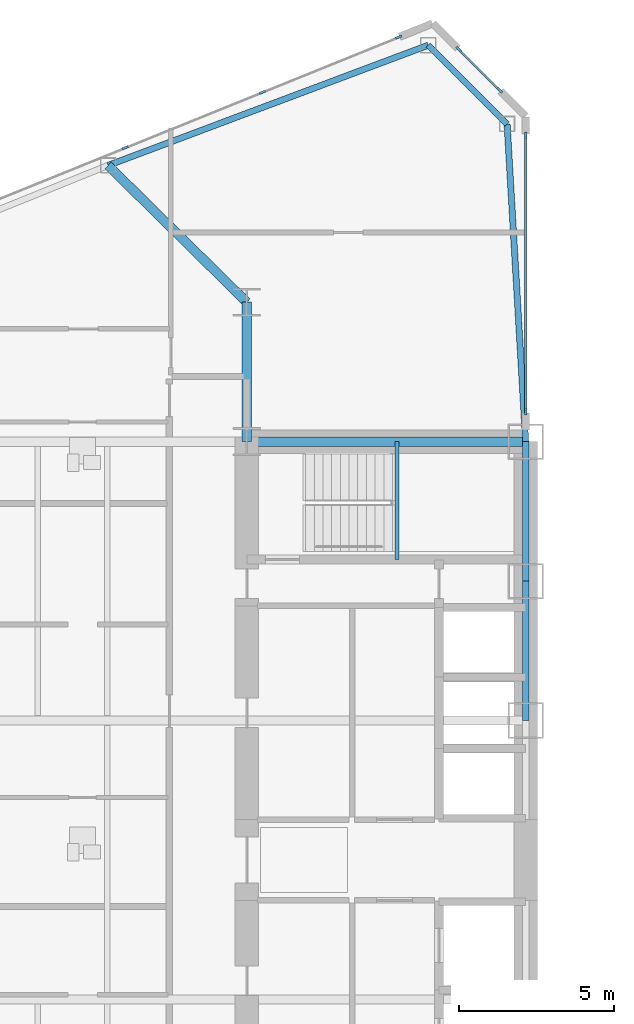
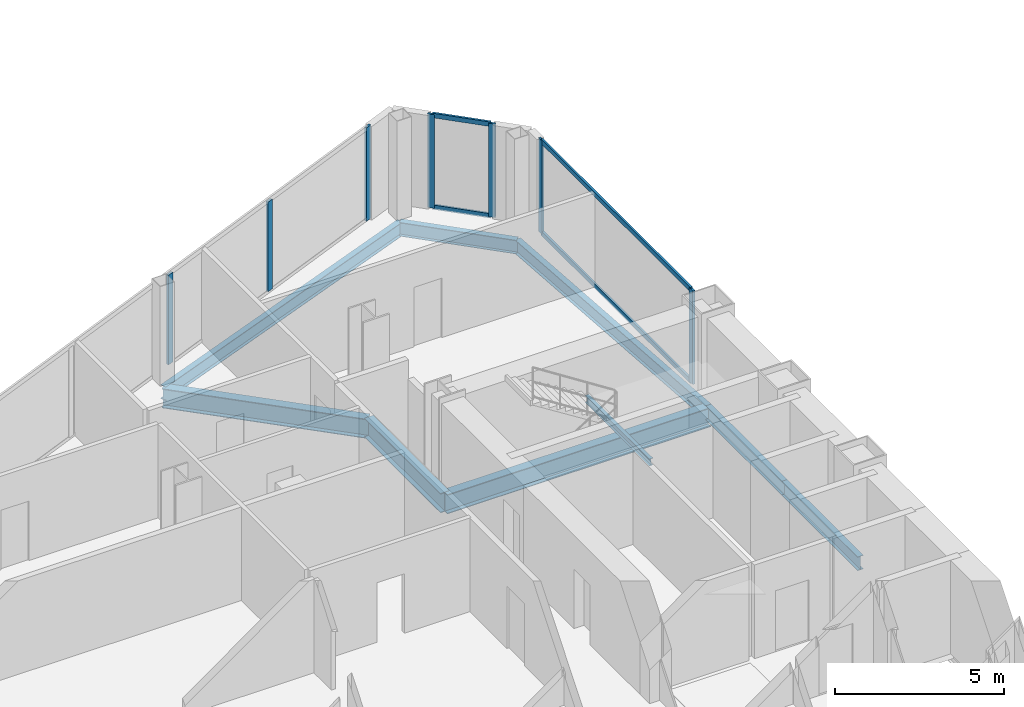
# One storey, part 8 of 25: 11 members, 9 beams, 3 elements without a shape of their own.
"""IFC4 building model written with IfcOpenShell, lengths in metres."""

from ifc_helpers import new_model, si_unit, direction, frame, origin, origin_2d, place, context, subcontext, project, spatial, rectangle, i_section, extrude, source, transform, mapped, material, layer, layer_set, material_profile, profile_set, type_object, type_shapes, element, aggregate, save


model = new_model("IFC4")

# Units and contexts
model_context = context("Model", 3, precision=1e-05, world=origin(), true_north=direction((0.0, 1.0)))
body_context = subcontext(model_context, "Body", "Model", "MODEL_VIEW")
ifc_project = project(units=[si_unit("LENGTHUNIT", "METRE"), si_unit("AREAUNIT", "SQUARE_METRE"), si_unit("VOLUMEUNIT", "CUBIC_METRE"), si_unit("PLANEANGLEUNIT", "RADIAN"), si_unit("MASSUNIT", "GRAM", prefix="KILO")], contexts=[model_context])

# Site, building, storey
site_placement = place(None, origin())
site = spatial("IfcSite", under=ifc_project, at=site_placement, CompositionType="ELEMENT")
building_placement = place(site_placement, origin())
building = spatial("IfcBuilding", under=site, at=building_placement, Name="Seokmaru Belvedere", CompositionType="ELEMENT")
storey_placement = place(building_placement, frame((0.0, 0.0, 40.5)))
storey = spatial("IfcBuildingStorey", under=building, at=storey_placement, Name="L10", CompositionType="ELEMENT", Elevation=40.5)

# Beams
ifc_material_1 = material(Name="Steel SM355 (355 MPa)", Category="steel")
ifc_material_profile_1 = material_profile(ifc_material_1, i_section(OverallWidth=0.199951171875, OverallDepth=0.5, WebThickness=0.010009765625, FlangeThickness=0.01611328125, at=origin_2d()), Name="H-500x200x10x16")
ifc_profile_set_1 = profile_set([ifc_material_profile_1], Name="Steel SM355 (355 MPa)")
beam_type_1 = type_object("IfcBeamType", Name="Perimeter Spandrel Beam H-500", PredefinedType="SPANDREL", material=ifc_profile_set_1)
shared_shape_1 = source(origin(), body_context, "Body", "SweptSolid", [
    extrude(i_section(OverallWidth=0.199951171875, OverallDepth=0.5, WebThickness=0.010009765625, FlangeThickness=0.01611328125, at=origin_2d()), origin(), (0.0, 0.0, 1.0), 4.5),
])
for number, where, z_axis, x_axis, name in (
    (1, (-27.5, 4.5, -0.469970703125), (0.0, 1.0, 0.0), (-1.0, 0.0, 0.0), "L10 W Portal Spine Spandrel 4"),
    (2, (-27.5, 9.0, -0.469970703125), (0.0, 1.0, 0.0), (-1.0, 0.0, 0.0), "L10 W Portal Spine Spandrel 5"),
):
    element("IfcBeam", number, at=place(storey_placement, frame(where, z_axis=z_axis, x_axis=x_axis)), inside=storey, type_object=beam_type_1, Name=name, PredefinedType="SPANDREL", context=body_context, shape_type="MappedRepresentation", body=[
        mapped(shared_shape_1, transform((0.0, 0.0, 0.0), scale=1.0)),
    ])
ifc_material_profile_2 = material_profile(ifc_material_1, i_section(OverallWidth=0.300048828125, OverallDepth=0.699951171875, WebThickness=0.012939453125, FlangeThickness=0.02392578125, at=origin_2d()), Name="H-700x300x13x24")
ifc_profile_set_2 = profile_set([ifc_material_profile_2], Name="Steel SM355 (355 MPa)")
beam_type_2 = type_object("IfcBeamType", Name="Primary Floor Girder H-700", PredefinedType="BEAM", material=ifc_profile_set_2)
shared_shape_2 = source(origin(), body_context, "Body", "SweptSolid", [
    extrude(i_section(OverallWidth=0.300048828125, OverallDepth=0.699951171875, WebThickness=0.012939453125, FlangeThickness=0.02392578125, at=origin_2d()), origin(), (0.0, 0.0, 1.0), 4.5),
])
beam_1_placement = place(storey_placement, frame((-36.5, 13.5, -0.570068359375), z_axis=(0.0, 1.0, 0.0), x_axis=(-1.0, 0.0, 0.0)))
element("IfcBeam", 3, at=beam_1_placement, inside=storey, type_object=beam_type_2, Name="L10 W Core Shoulder Girder N", PredefinedType="BEAM", context=body_context, shape_type="MappedRepresentation", body=[
    mapped(shared_shape_2, transform((0.0, 0.0, 0.0), scale=1.0)),
])
shared_shape_3 = source(origin(), body_context, "Body", "SweptSolid", [
    extrude(i_section(OverallWidth=0.300048828125, OverallDepth=0.699951171875, WebThickness=0.012939453125, FlangeThickness=0.02392578125, at=origin_2d()), origin(), (0.0, 0.0, 1.0), 9.0),
])
beam_2_placement = place(storey_placement, frame((-36.5, 13.5, -0.570068359375), z_axis=(1.0, 0.0, 0.0), x_axis=(0.0, 1.0, 0.0)))
element("IfcBeam", 4, at=beam_2_placement, inside=storey, type_object=beam_type_2, Name="L10 W Core Tie Girder 4", PredefinedType="BEAM", context=body_context, shape_type="MappedRepresentation", body=[
    mapped(shared_shape_3, transform((0.0, 0.0, 0.0), scale=1.0)),
])
shared_shape_4 = source(origin(), body_context, "Body", "SweptSolid", [
    extrude(i_section(OverallWidth=0.199951171875, OverallDepth=0.5, WebThickness=0.010009765625, FlangeThickness=0.01611328125, at=origin_2d()), origin(), (0.0, 0.0, 1.0), 11.03857421875),
])
beam_3_placement = place(storey_placement, frame((-30.643310546875, 26.294677734375, -0.469970703125), z_axis=(-0.936169110734, -0.351549990907, 0.0), x_axis=(0.351549990907, -0.936169110734, 0.0)))
element("IfcBeam", 5, at=beam_3_placement, inside=storey, type_object=beam_type_1, Name="L10 W Faceted Flank Spandrel N-1", PredefinedType="SPANDREL", context=body_context, shape_type="MappedRepresentation", body=[
    mapped(shared_shape_4, transform((0.0, 0.0, 0.0), scale=1.0)),
])
shared_shape_5 = source(origin(), body_context, "Body", "SweptSolid", [
    extrude(i_section(OverallWidth=0.199951171875, OverallDepth=0.5, WebThickness=0.010009765625, FlangeThickness=0.01611328125, at=origin_2d()), origin(), (0.0, 0.0, 1.0), 3.5966796875),
])
beam_4_placement = place(storey_placement, frame((-30.643310546875, 26.294677734375, -0.469970703125), z_axis=(0.707106781187, -0.707106781187, 0.0), x_axis=(0.707106781187, 0.707106781187, 0.0)))
element("IfcBeam", 6, at=beam_4_placement, inside=storey, type_object=beam_type_1, Name="L10 W Shoulder Chamfer Spandrel N", PredefinedType="SPANDREL", context=body_context, shape_type="MappedRepresentation", body=[
    mapped(shared_shape_5, transform((0.0, 0.0, 0.0), scale=1.0)),
])
shared_shape_6 = source(origin(), body_context, "Body", "SweptSolid", [
    extrude(i_section(OverallWidth=0.199951171875, OverallDepth=0.5, WebThickness=0.010009765625, FlangeThickness=0.01611328125, at=origin_2d()), origin(), (0.0, 0.0, 1.0), 10.26904296875),
])
type_shapes(beam_type_1, [shared_shape_1, shared_shape_4, shared_shape_5, shared_shape_6])
beam_5_placement = place(storey_placement, frame((-28.10009765625, 23.75146484375, -0.469970703125), z_axis=(0.058437709399, -0.998291056817, 0.0), x_axis=(0.998291056817, 0.058437709399, 0.0)))
element("IfcBeam", 7, at=beam_5_placement, inside=storey, type_object=beam_type_1, Name="L10 W Shoulder Spine Spandrel N", PredefinedType="SPANDREL", context=body_context, shape_type="MappedRepresentation", body=[
    mapped(shared_shape_6, transform((0.0, 0.0, 0.0), scale=1.0)),
])
shared_shape_7 = source(origin(), body_context, "Body", "SweptSolid", [
    extrude(i_section(OverallWidth=0.300048828125, OverallDepth=0.699951171875, WebThickness=0.012939453125, FlangeThickness=0.02392578125, at=origin_2d()), origin(), (0.0, 0.0, 1.0), 6.287353515625),
])
type_shapes(beam_type_2, [shared_shape_2, shared_shape_3, shared_shape_7])
beam_6_placement = place(storey_placement, frame((-40.977294921875, 22.4140625, -0.570068359375), z_axis=(0.712117485263, -0.702060315915, 0.0), x_axis=(0.702060315915, 0.712117485263, 0.0)))
element("IfcBeam", 8, at=beam_6_placement, inside=storey, type_object=beam_type_2, Name="L10 W Flank Radial Floor Girder N-1", PredefinedType="BEAM", context=body_context, shape_type="MappedRepresentation", body=[
    mapped(shared_shape_7, transform((0.0, 0.0, 0.0), scale=1.0)),
])

# Curtain wall, members
ifc_material_2 = material(Name="Bronze Triple Insulating Glass", Category="glass")
ifc_layer = layer(ifc_material_2, 0.2099609375)
ifc_layer_set = layer_set([ifc_layer], Name="Bronze Triple Insulating Glass")
curtain_wall_type = type_object("IfcCurtainWallType", Name="Low-Rise Faceted Crystal Curtain Wall System CW-2", PredefinedType="NOTDEFINED", material=ifc_layer_set)
curtain_wall_1_placement = place(storey_placement, origin())
curtain_wall_1 = element("IfcCurtainWall", 9, at=curtain_wall_1_placement, inside=storey, type_object=curtain_wall_type, Name="L10 Curtain Wall WSP_2", PredefinedType="NOTDEFINED")
ifc_material_3 = material(Name="Anodised Bronze Aluminium", Category="aluminium")
ifc_material_profile_3 = material_profile(ifc_material_3, rectangle(XDim=0.070068359375, YDim=0.1650390625, at=origin_2d()), Name="CW-T-70x165")
ifc_profile_set_3 = profile_set([ifc_material_profile_3], Name="Anodised Bronze Aluminium")
member_type_1 = type_object("IfcMemberType", Name="Bronze Unitised Transom 70x165", PredefinedType="USERDEFINED", material=ifc_profile_set_3)
shared_shape_8 = source(origin(), body_context, "Body", "SweptSolid", [
    extrude(rectangle(XDim=0.070068359375, YDim=0.1650390625, at=origin_2d()), origin(), (0.0, 0.0, 1.0), 8.85009765625),
])
member_1_placement = place(storey_placement, frame((-27.5, 14.5048828125, 0.034912109375), z_axis=(0.0, 1.0, 0.0), x_axis=(-1.0, 0.0, 0.0)))
member_1 = element("IfcMember", 10, at=member_1_placement, type_object=member_type_1, Name="CW:L10:WSP_2 Continuous Transom 1", ObjectType="TRANSOM", PredefinedType="USERDEFINED", context=body_context, shape_type="MappedRepresentation", body=[
    mapped(shared_shape_8, transform((0.0, 0.0, 0.0), scale=1.0)),
])
member_2_placement = place(storey_placement, frame((-27.5, 14.5048828125, 3.344970703125), z_axis=(0.0, 1.0, 0.0), x_axis=(-1.0, 0.0, 0.0)))
member_2 = element("IfcMember", 11, at=member_2_placement, type_object=member_type_1, Name="CW:L10:WSP_2 Continuous Transom 2", ObjectType="TRANSOM", PredefinedType="USERDEFINED", context=body_context, shape_type="MappedRepresentation", body=[
    mapped(shared_shape_8, transform((0.0, 0.0, 0.0), scale=1.0)),
])

curtain_wall_2_placement = place(storey_placement, origin())
curtain_wall_2 = element("IfcCurtainWall", 12, at=curtain_wall_2_placement, inside=storey, type_object=curtain_wall_type, Name="L10 Curtain Wall WF2", PredefinedType="NOTDEFINED")
shared_shape_9 = source(origin(), body_context, "Body", "SweptSolid", [
    extrude(rectangle(XDim=0.070068359375, YDim=0.1650390625, at=origin_2d()), origin(), (0.0, 0.0, 1.0), 1.792724609375),
])
type_shapes(member_type_1, [shared_shape_8, shared_shape_9])
member_3_placement = place(storey_placement, frame((-28.3662109375, 24.8662109375, 0.034912109375), z_axis=(-0.707106781187, 0.707106781187, 0.0), x_axis=(-0.707106781187, -0.707106781187, 0.0)))
member_3 = element("IfcMember", 13, at=member_3_placement, type_object=member_type_1, Name="CW:L10:WF2 Continuous Transom 1", ObjectType="TRANSOM", PredefinedType="USERDEFINED", context=body_context, shape_type="MappedRepresentation", body=[
    mapped(shared_shape_9, transform((0.0, 0.0, 0.0), scale=1.0)),
])
member_4_placement = place(storey_placement, frame((-28.3662109375, 24.8662109375, 3.344970703125), z_axis=(-0.707106781187, 0.707106781187, 0.0), x_axis=(-0.707106781187, -0.707106781187, 0.0)))
member_4 = element("IfcMember", 14, at=member_4_placement, type_object=member_type_1, Name="CW:L10:WF2 Continuous Transom 2", ObjectType="TRANSOM", PredefinedType="USERDEFINED", context=body_context, shape_type="MappedRepresentation", body=[
    mapped(shared_shape_9, transform((0.0, 0.0, 0.0), scale=1.0)),
])

curtain_wall_3_placement = place(storey_placement, origin())
curtain_wall_3 = element("IfcCurtainWall", 15, at=curtain_wall_3_placement, inside=storey, type_object=curtain_wall_type, Name="L10 Curtain Wall WF3", PredefinedType="NOTDEFINED")
ifc_material_profile_4 = material_profile(ifc_material_3, rectangle(XDim=0.074951171875, YDim=0.2099609375, at=origin_2d()), Name="CW-M-75x210")
ifc_profile_set_4 = profile_set([ifc_material_profile_4], Name="Anodised Bronze Aluminium")
member_type_2 = type_object("IfcMemberType", Name="Bronze Unitised Mullion 75x210", PredefinedType="MULLION", material=ifc_profile_set_4)
shared_shape_10 = source(origin(), body_context, "Body", "SweptSolid", [
    extrude(rectangle(XDim=0.074951171875, YDim=0.2099609375, at=origin_2d()), origin(), (0.0, 0.0, 1.0), 3.239990234375),
])
member_5_placement = place(storey_placement, frame((-35.995849609375, 24.775390625, 0.070068359375), z_axis=(0.0, 0.0, 1.0), x_axis=(0.375192321888, -0.926946989637, 0.0)))
member_5 = element("IfcMember", 16, at=member_5_placement, type_object=member_type_2, Name="CW:L10:WF3 Mullion 2", PredefinedType="MULLION", context=body_context, shape_type="MappedRepresentation", body=[
    mapped(shared_shape_10, transform((0.0, 0.0, 0.0), scale=1.0)),
])
member_6_placement = place(storey_placement, frame((-40.425537109375, 22.982421875, 0.070068359375), z_axis=(0.0, 0.0, 1.0), x_axis=(0.375192321888, -0.926946989637, 0.0)))
member_6 = element("IfcMember", 17, at=member_6_placement, type_object=member_type_2, Name="CW:L10:WF3 Mullion 3", PredefinedType="MULLION", context=body_context, shape_type="MappedRepresentation", body=[
    mapped(shared_shape_10, transform((0.0, 0.0, 0.0), scale=1.0)),
])

# Member
shared_shape_11 = source(origin(), body_context, "Body", "SweptSolid", [
    extrude(rectangle(XDim=0.074951171875, YDim=0.2099609375, at=origin_2d()), origin(), (0.0, 0.0, 1.0), 3.3798828125),
])
type_shapes(member_type_2, [shared_shape_10, shared_shape_11])
member_7_placement = place(storey_placement, frame((-27.5, 14.467529296875, 0.0), z_axis=(0.0, 0.0, 1.0), x_axis=(-1.0, 0.0, 0.0)))
member_7 = element("IfcMember", 18, at=member_7_placement, type_object=member_type_2, Name="CW:L10:WSP_2 Mullion 1", PredefinedType="MULLION", context=body_context, shape_type="MappedRepresentation", body=[
    mapped(shared_shape_11, transform((0.0, 0.0, 0.0), scale=1.0)),
])

member_8_placement = place(storey_placement, frame((-27.5, 23.392578125, 0.0), z_axis=(0.0, 0.0, 1.0), x_axis=(-1.0, 0.0, 0.0)))
member_8 = element("IfcMember", 19, at=member_8_placement, type_object=member_type_2, Name="CW:L10:WSP_2 Mullion 2", PredefinedType="MULLION", context=body_context, shape_type="MappedRepresentation", body=[
    mapped(shared_shape_11, transform((0.0, 0.0, 0.0), scale=1.0)),
])

aggregate(curtain_wall_1, [member_7, member_8, member_1, member_2])

member_9_placement = place(storey_placement, frame((-28.339599609375, 24.839599609375, 0.0), z_axis=(0.0, 0.0, 1.0), x_axis=(-0.707106781187, -0.707106781187, 0.0)))
member_9 = element("IfcMember", 20, at=member_9_placement, type_object=member_type_2, Name="CW:L10:WF2 Mullion 1", PredefinedType="MULLION", context=body_context, shape_type="MappedRepresentation", body=[
    mapped(shared_shape_11, transform((0.0, 0.0, 0.0), scale=1.0)),
])

member_10_placement = place(storey_placement, frame((-29.660400390625, 26.160400390625, 0.0), z_axis=(0.0, 0.0, 1.0), x_axis=(-0.707106781187, -0.707106781187, 0.0)))
member_10 = element("IfcMember", 21, at=member_10_placement, type_object=member_type_2, Name="CW:L10:WF2 Mullion 2", PredefinedType="MULLION", context=body_context, shape_type="MappedRepresentation", body=[
    mapped(shared_shape_11, transform((0.0, 0.0, 0.0), scale=1.0)),
])

aggregate(curtain_wall_2, [member_9, member_10, member_3, member_4])

member_11_placement = place(storey_placement, frame((-31.600830078125, 26.554443359375, 0.0), z_axis=(0.0, 0.0, 1.0), x_axis=(0.375192321888, -0.926946989637, 0.0)))
member_11 = element("IfcMember", 22, at=member_11_placement, type_object=member_type_2, Name="CW:L10:WF3 Mullion 1", PredefinedType="MULLION", context=body_context, shape_type="MappedRepresentation", body=[
    mapped(shared_shape_11, transform((0.0, 0.0, 0.0), scale=1.0)),
])

aggregate(curtain_wall_3, [member_11, member_5, member_6])

# Beam
ifc_material_profile_5 = material_profile(ifc_material_1, i_section(OverallWidth=0.125, OverallDepth=0.25, WebThickness=0.006103515625, FlangeThickness=0.009033203125, at=origin_2d()), Name="H-250x125x6x9")
ifc_profile_set_5 = profile_set([ifc_material_profile_5], Name="Steel SM355 (355 MPa)")
beam_type_3 = type_object("IfcBeamType", Name="Stair Mid-Landing Support Beam H-250", PredefinedType="JOIST", material=ifc_profile_set_5)
shared_shape_12 = source(origin(), body_context, "Body", "SweptSolid", [
    extrude(i_section(OverallWidth=0.125, OverallDepth=0.25, WebThickness=0.006103515625, FlangeThickness=0.009033203125, at=origin_2d()), origin(), (0.0, 0.0, 1.0), 3.800048828125),
])
type_shapes(beam_type_3, [shared_shape_12])
beam_7_placement = place(storey_placement, frame((-31.64990234375, 9.699951171875, 1.47509765625), z_axis=(0.0, 1.0, 0.0), x_axis=(-1.0, 0.0, 0.0)))
element("IfcBeam", 23, at=beam_7_placement, inside=storey, type_object=beam_type_3, Name="L10 Stair ST-W2 Mid-Landing Support Beam 1", PredefinedType="JOIST", context=body_context, shape_type="MappedRepresentation", body=[
    mapped(shared_shape_12, transform((0.0, 0.0, 0.0), scale=1.0)),
])

save(model, "model.ifc")
